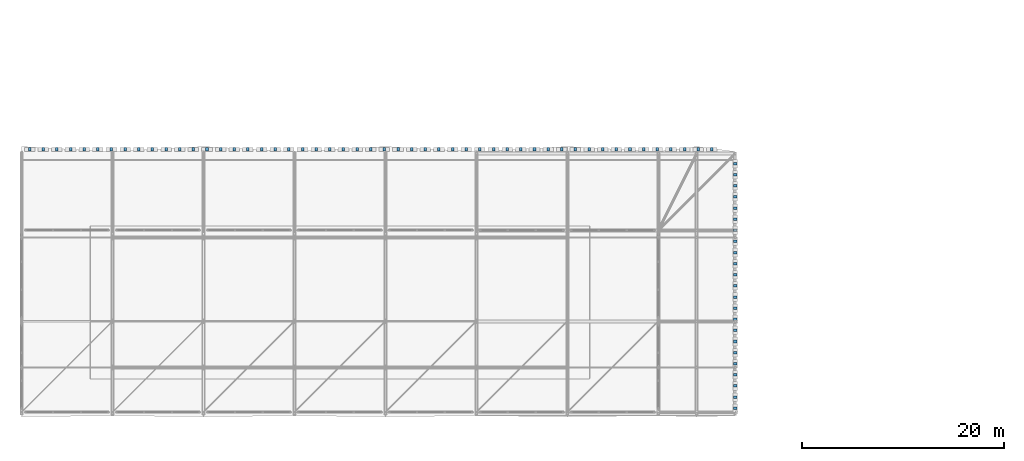
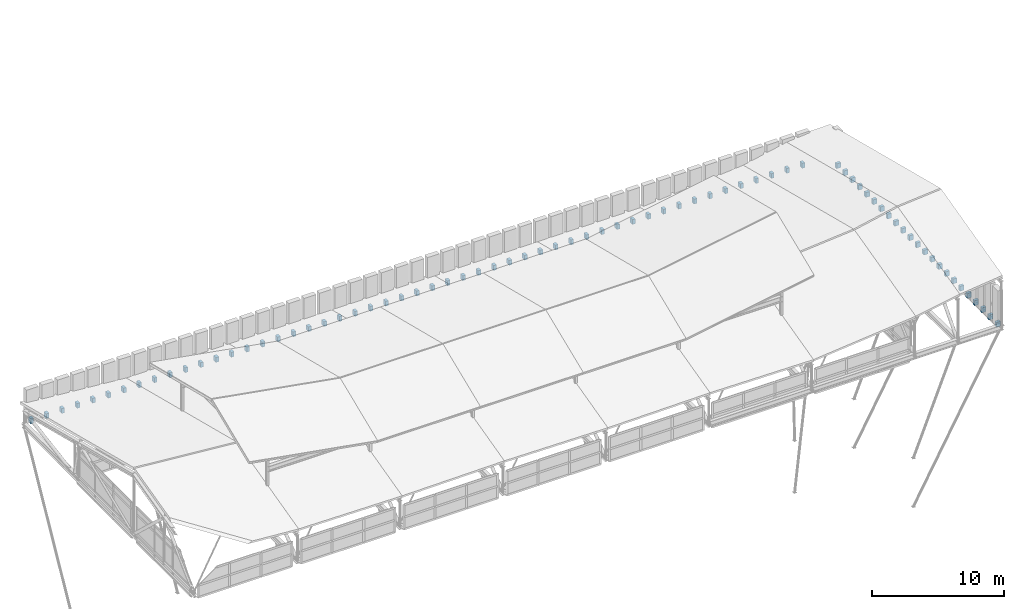
# One storey, part 41 of 42: 74 discrete accessories.
"""IFC4 building model written with IfcOpenShell, lengths in metres."""

from ifc_helpers import new_model, si_unit, direction, frame, origin, origin_2d, place, context, subcontext, project, spatial, rectangle, extrude, material, type_object, element, save


model = new_model("IFC4")

# Units and contexts
model_context = context("Model", 3, precision=1e-05, world=origin(), true_north=direction((0.0, 1.0)))
body_context = subcontext(model_context, "Body", "Model", "MODEL_VIEW")
ifc_project = project(units=[si_unit("LENGTHUNIT", "METRE"), si_unit("AREAUNIT", "SQUARE_METRE"), si_unit("VOLUMEUNIT", "CUBIC_METRE"), si_unit("PLANEANGLEUNIT", "RADIAN"), si_unit("MASSUNIT", "GRAM", prefix="KILO")], contexts=[model_context])

# Site, building, storey
site_placement = place(None, origin())
site = spatial("IfcSite", under=ifc_project, at=site_placement, CompositionType="ELEMENT")
building_placement = place(site_placement, origin())
building = spatial("IfcBuilding", under=site, at=building_placement, Name="Bozkorgan Art Gallery", CompositionType="ELEMENT")
storey_placement = place(building_placement, frame((0.0, 0.0, 28.800048828125)))
storey = spatial("IfcBuildingStorey", under=building, at=storey_placement, Name="RF", CompositionType="ELEMENT", Elevation=28.800048828125)

# Discrete accessories
ifc_material = material(Name="Steel S355J2", Category="steel")
discrete_accessory_type = type_object("IfcDiscreteAccessoryType", Name="ACC-BRK-01", PredefinedType="BRACKET", material=ifc_material)
for number, where, z_axis, x_axis, name in (
    (1, (72.60009765625, 2.39990234375, -0.0048828125), (0.0, 0.0, 1.0), (1.0, 0.0, 0.0), "RF east overhang louvre bracket 1"),
    (2, (72.60009765625, 3.5, -0.0048828125), (0.0, 0.0, 1.0), (1.0, 0.0, 0.0), "RF east overhang louvre bracket 2"),
    (3, (72.60009765625, 4.60009765625, -0.0048828125), (0.0, 0.0, 1.0), (1.0, 0.0, 0.0), "RF east overhang louvre bracket 3"),
    (4, (72.60009765625, 5.699951171875, -0.0048828125), (0.0, 0.0, 1.0), (1.0, 0.0, 0.0), "RF east overhang louvre bracket 4"),
    (5, (72.60009765625, 6.800048828125, -0.0048828125), (0.0, 0.0, 1.0), (1.0, 0.0, 0.0), "RF east overhang louvre bracket 5"),
    (6, (72.60009765625, 7.89990234375, -0.0048828125), (0.0, 0.0, 1.0), (1.0, 0.0, 0.0), "RF east overhang louvre bracket 6"),
    (7, (72.60009765625, 9.0, -0.0048828125), (0.0, 0.0, 1.0), (1.0, 0.0, 0.0), "RF east overhang louvre bracket 7"),
    (8, (72.60009765625, 10.10009765625, -0.0048828125), (0.0, 0.0, 1.0), (1.0, 0.0, 0.0), "RF east overhang louvre bracket 8"),
    (9, (72.60009765625, 11.199951171875, -0.0048828125), (0.0, 0.0, 1.0), (1.0, 0.0, 0.0), "RF east overhang louvre bracket 9"),
    (10, (72.60009765625, 12.300048828125, -0.0048828125), (0.0, 0.0, 1.0), (1.0, 0.0, 0.0), "RF east overhang louvre bracket 10"),
    (11, (72.60009765625, 13.39990234375, -0.0048828125), (0.0, 0.0, 1.0), (1.0, 0.0, 0.0), "RF east overhang louvre bracket 11"),
    (12, (72.60009765625, 14.5, -0.0048828125), (0.0, 0.0, 1.0), (1.0, 0.0, 0.0), "RF east overhang louvre bracket 12"),
    (13, (72.60009765625, 15.60009765625, -0.0048828125), (0.0, 0.0, 1.0), (1.0, 0.0, 0.0), "RF east overhang louvre bracket 13"),
    (14, (72.60009765625, 16.699951171875, -0.0048828125), (0.0, 0.0, 1.0), (1.0, 0.0, 0.0), "RF east overhang louvre bracket 14"),
    (15, (72.60009765625, 17.800048828125, -0.0048828125), (0.0, 0.0, 1.0), (1.0, 0.0, 0.0), "RF east overhang louvre bracket 15"),
    (16, (72.60009765625, 18.89990234375, -0.0048828125), (0.0, 0.0, 1.0), (1.0, 0.0, 0.0), "RF east overhang louvre bracket 16"),
    (17, (72.60009765625, 20.0, -0.0048828125), (0.0, 0.0, 1.0), (1.0, 0.0, 0.0), "RF east overhang louvre bracket 17"),
    (18, (72.60009765625, 21.10009765625, -0.0048828125), (0.0, 0.0, 1.0), (1.0, 0.0, 0.0), "RF east overhang louvre bracket 18"),
    (19, (72.60009765625, 22.199951171875, -0.0048828125), (0.0, 0.0, 1.0), (1.0, 0.0, 0.0), "RF east overhang louvre bracket 19"),
    (20, (72.60009765625, 23.300048828125, -0.0048828125), (0.0, 0.0, 1.0), (1.0, 0.0, 0.0), "RF east overhang louvre bracket 20"),
    (21, (72.60009765625, 24.39990234375, -0.0048828125), (0.0, 0.0, 1.0), (1.0, 0.0, 0.0), "RF east overhang louvre bracket 21"),
    (22, (72.60009765625, 25.5, -0.0048828125), (0.0, 0.0, 1.0), (1.0, 0.0, 0.0), "RF east overhang louvre bracket 22"),
    (23, (72.60009765625, 26.60009765625, -0.0048828125), (0.0, 0.0, 1.0), (1.0, 0.0, 0.0), "RF east overhang louvre bracket 23"),
):
    element("IfcDiscreteAccessory", number, at=place(storey_placement, frame(where, z_axis=z_axis, x_axis=x_axis)), inside=storey, type_object=discrete_accessory_type, Name=name, PredefinedType="BRACKET", context=body_context, shape_type="SweptSolid", body=[
        extrude(rectangle(XDim=0.35009765625, YDim=0.25, at=origin_2d()), origin(), (0.0, 0.0, 1.0), 0.449951171875),
    ])
for number, where, z_axis, x_axis, name in (
    (24, (2.800048828125, 28.0, -0.0048828125), (0.0, 0.0, 1.0), (1.0, 0.0, 0.0), "RF north overhang louvre bracket 24"),
    (25, (4.14990234375, 28.0, -0.0048828125), (0.0, 0.0, 1.0), (1.0, 0.0, 0.0), "RF north overhang louvre bracket 25"),
    (26, (5.5, 28.0, -0.0048828125), (0.0, 0.0, 1.0), (1.0, 0.0, 0.0), "RF north overhang louvre bracket 26"),
    (27, (6.85009765625, 28.0, -0.0048828125), (0.0, 0.0, 1.0), (1.0, 0.0, 0.0), "RF north overhang louvre bracket 27"),
    (28, (8.199951171875, 28.0, -0.0048828125), (0.0, 0.0, 1.0), (1.0, 0.0, 0.0), "RF north overhang louvre bracket 28"),
    (29, (9.550048828125, 28.0, -0.0048828125), (0.0, 0.0, 1.0), (1.0, 0.0, 0.0), "RF north overhang louvre bracket 29"),
    (30, (10.89990234375, 28.0, -0.0048828125), (0.0, 0.0, 1.0), (1.0, 0.0, 0.0), "RF north overhang louvre bracket 30"),
    (31, (12.25, 28.0, -0.0048828125), (0.0, 0.0, 1.0), (1.0, 0.0, 0.0), "RF north overhang louvre bracket 31"),
    (32, (13.60009765625, 28.0, -0.0048828125), (0.0, 0.0, 1.0), (1.0, 0.0, 0.0), "RF north overhang louvre bracket 32"),
    (33, (14.949951171875, 28.0, -0.0048828125), (0.0, 0.0, 1.0), (1.0, 0.0, 0.0), "RF north overhang louvre bracket 33"),
    (34, (16.300048828125, 28.0, -0.0048828125), (0.0, 0.0, 1.0), (1.0, 0.0, 0.0), "RF north overhang louvre bracket 34"),
    (35, (17.64990234375, 28.0, -0.0048828125), (0.0, 0.0, 1.0), (1.0, 0.0, 0.0), "RF north overhang louvre bracket 35"),
    (36, (19.0, 28.0, -0.0048828125), (0.0, 0.0, 1.0), (1.0, 0.0, 0.0), "RF north overhang louvre bracket 36"),
    (37, (20.35009765625, 28.0, -0.0048828125), (0.0, 0.0, 1.0), (1.0, 0.0, 0.0), "RF north overhang louvre bracket 37"),
    (38, (21.699951171875, 28.0, -0.0048828125), (0.0, 0.0, 1.0), (1.0, 0.0, 0.0), "RF north overhang louvre bracket 38"),
    (39, (23.050048828125, 28.0, -0.0048828125), (0.0, 0.0, 1.0), (1.0, 0.0, 0.0), "RF north overhang louvre bracket 39"),
    (40, (24.39990234375, 28.0, -0.0048828125), (0.0, 0.0, 1.0), (1.0, 0.0, 0.0), "RF north overhang louvre bracket 40"),
    (41, (25.75, 28.0, -0.0048828125), (0.0, 0.0, 1.0), (1.0, 0.0, 0.0), "RF north overhang louvre bracket 41"),
    (42, (27.10009765625, 28.0, -0.0048828125), (0.0, 0.0, 1.0), (1.0, 0.0, 0.0), "RF north overhang louvre bracket 42"),
    (43, (28.449951171875, 28.0, -0.0048828125), (0.0, 0.0, 1.0), (1.0, 0.0, 0.0), "RF north overhang louvre bracket 43"),
    (44, (29.800048828125, 28.0, -0.0048828125), (0.0, 0.0, 1.0), (1.0, 0.0, 0.0), "RF north overhang louvre bracket 44"),
    (45, (31.14990234375, 28.0, -0.0048828125), (0.0, 0.0, 1.0), (1.0, 0.0, 0.0), "RF north overhang louvre bracket 45"),
    (46, (32.5, 28.0, -0.0048828125), (0.0, 0.0, 1.0), (1.0, 0.0, 0.0), "RF north overhang louvre bracket 46"),
    (47, (33.85009765625, 28.0, -0.0048828125), (0.0, 0.0, 1.0), (1.0, 0.0, 0.0), "RF north overhang louvre bracket 47"),
    (48, (35.199951171875, 28.0, -0.0048828125), (0.0, 0.0, 1.0), (1.0, 0.0, 0.0), "RF north overhang louvre bracket 48"),
    (49, (36.550048828125, 28.0, -0.0048828125), (0.0, 0.0, 1.0), (1.0, 0.0, 0.0), "RF north overhang louvre bracket 49"),
    (50, (37.89990234375, 28.0, -0.0048828125), (0.0, 0.0, 1.0), (1.0, 0.0, 0.0), "RF north overhang louvre bracket 50"),
    (51, (39.25, 28.0, -0.0048828125), (0.0, 0.0, 1.0), (1.0, 0.0, 0.0), "RF north overhang louvre bracket 51"),
    (52, (40.60009765625, 28.0, -0.0048828125), (0.0, 0.0, 1.0), (1.0, 0.0, 0.0), "RF north overhang louvre bracket 52"),
    (53, (41.949951171875, 28.0, -0.0048828125), (0.0, 0.0, 1.0), (1.0, 0.0, 0.0), "RF north overhang louvre bracket 53"),
    (54, (43.300048828125, 28.0, -0.0048828125), (0.0, 0.0, 1.0), (1.0, 0.0, 0.0), "RF north overhang louvre bracket 54"),
    (55, (44.64990234375, 28.0, -0.0048828125), (0.0, 0.0, 1.0), (1.0, 0.0, 0.0), "RF north overhang louvre bracket 55"),
    (56, (46.0, 28.0, -0.0048828125), (0.0, 0.0, 1.0), (1.0, 0.0, 0.0), "RF north overhang louvre bracket 56"),
    (57, (47.35009765625, 28.0, -0.0048828125), (0.0, 0.0, 1.0), (1.0, 0.0, 0.0), "RF north overhang louvre bracket 57"),
    (58, (48.699951171875, 28.0, -0.0048828125), (0.0, 0.0, 1.0), (1.0, 0.0, 0.0), "RF north overhang louvre bracket 58"),
    (59, (50.050048828125, 28.0, -0.0048828125), (0.0, 0.0, 1.0), (1.0, 0.0, 0.0), "RF north overhang louvre bracket 59"),
    (60, (51.39990234375, 28.0, -0.0048828125), (0.0, 0.0, 1.0), (1.0, 0.0, 0.0), "RF north overhang louvre bracket 60"),
    (61, (52.75, 28.0, -0.0048828125), (0.0, 0.0, 1.0), (1.0, 0.0, 0.0), "RF north overhang louvre bracket 61"),
    (62, (54.10009765625, 28.0, -0.0048828125), (0.0, 0.0, 1.0), (1.0, 0.0, 0.0), "RF north overhang louvre bracket 62"),
    (63, (55.449951171875, 28.0, -0.0048828125), (0.0, 0.0, 1.0), (1.0, 0.0, 0.0), "RF north overhang louvre bracket 63"),
    (64, (56.800048828125, 28.0, -0.0048828125), (0.0, 0.0, 1.0), (1.0, 0.0, 0.0), "RF north overhang louvre bracket 64"),
    (65, (58.14990234375, 28.0, -0.0048828125), (0.0, 0.0, 1.0), (1.0, 0.0, 0.0), "RF north overhang louvre bracket 65"),
    (66, (59.5, 28.0, -0.0048828125), (0.0, 0.0, 1.0), (1.0, 0.0, 0.0), "RF north overhang louvre bracket 66"),
    (67, (60.85009765625, 28.0, -0.0048828125), (0.0, 0.0, 1.0), (1.0, 0.0, 0.0), "RF north overhang louvre bracket 67"),
    (68, (62.199951171875, 28.0, -0.0048828125), (0.0, 0.0, 1.0), (1.0, 0.0, 0.0), "RF north overhang louvre bracket 68"),
    (69, (63.550048828125, 28.0, -0.0048828125), (0.0, 0.0, 1.0), (1.0, 0.0, 0.0), "RF north overhang louvre bracket 69"),
    (70, (64.89990234375, 28.0, -0.0048828125), (0.0, 0.0, 1.0), (1.0, 0.0, 0.0), "RF north overhang louvre bracket 70"),
    (71, (66.25, 28.0, -0.0048828125), (0.0, 0.0, 1.0), (1.0, 0.0, 0.0), "RF north overhang louvre bracket 71"),
    (72, (67.60009765625, 28.0, -0.0048828125), (0.0, 0.0, 1.0), (1.0, 0.0, 0.0), "RF north overhang louvre bracket 72"),
    (73, (68.949951171875, 28.0, -0.0048828125), (0.0, 0.0, 1.0), (1.0, 0.0, 0.0), "RF north overhang louvre bracket 73"),
    (74, (70.300048828125, 28.0, -0.0048828125), (0.0, 0.0, 1.0), (1.0, 0.0, 0.0), "RF north overhang louvre bracket 74"),
):
    element("IfcDiscreteAccessory", number, at=place(storey_placement, frame(where, z_axis=z_axis, x_axis=x_axis)), inside=storey, type_object=discrete_accessory_type, Name=name, PredefinedType="BRACKET", context=body_context, shape_type="SweptSolid", body=[
        extrude(rectangle(XDim=0.25, YDim=0.35009765625, at=origin_2d()), origin(), (0.0, 0.0, 1.0), 0.449951171875),
    ])

save(model, "model.ifc")
